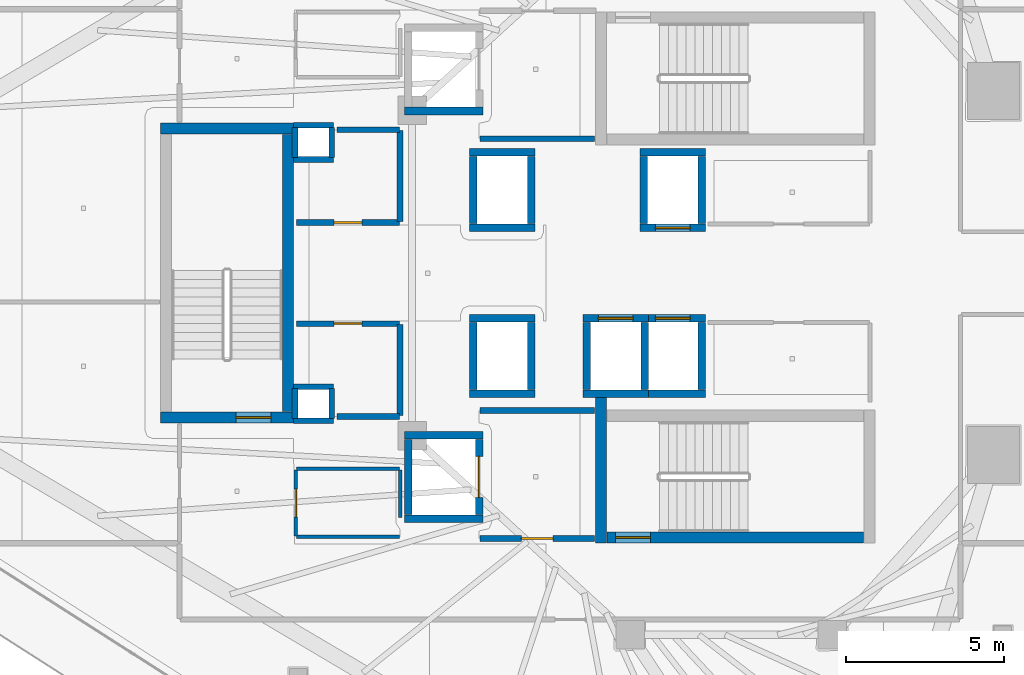
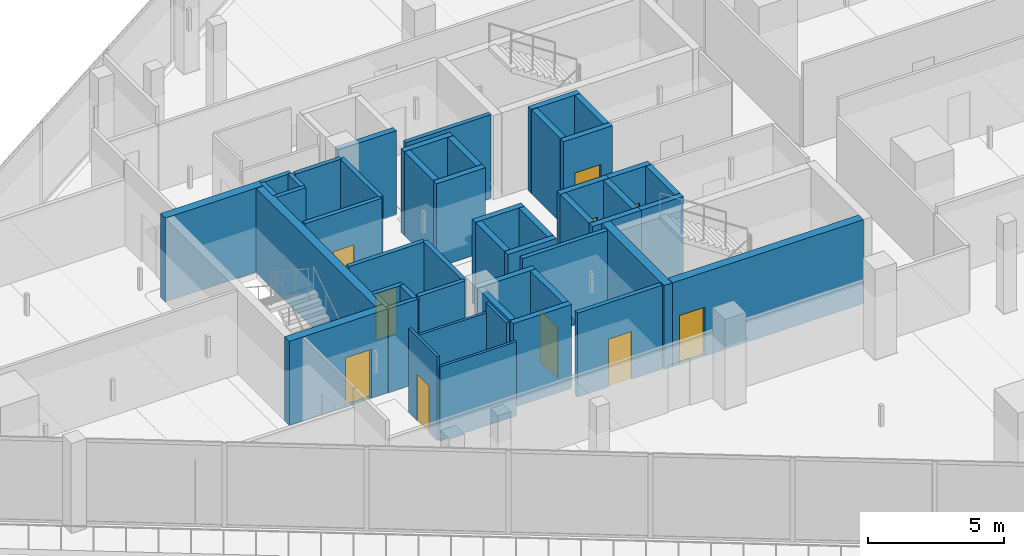
# One storey, part 24 of 33: 50 walls, 10 doors, 10 openings.
"""IFC4 building model written with IfcOpenShell, lengths in metres."""

import ifcopenshell
import ifcopenshell.guid

model = None  # the IFC model being written
_history = None  # IfcOwnerHistory: only IFC2X3 demands one
_inside = {}  # id of a spatial element -> (the spatial element, [elements in it])
_under = {}  # id of a project, library or spatial element -> (it, [spatial elements below it])
_declared = {}  # id of a project -> (the project, [libraries it declares])
_typed = {}  # id of a type object -> (the type object, [elements of that type])
_made_of = {}  # id of a material, layer set ... -> (it, [elements and type objects made of it])


def new_model(schema):
    """Start an empty IFC model of exactly this schema.

    Asked for "IFC4X3", IfcOpenShell would pick the latest addendum, in which some entities
    have other attributes; the version numbers below select the first issue.
    IFC2X3 requires an IfcOwnerHistory on every rooted entity: one is made here for all.
    """
    global model, _history
    if schema == "IFC4X3":
        model = ifcopenshell.file(schema_version=(4, 3, 0, 0))
    else:
        model = ifcopenshell.file(schema=schema)
    _inside.clear()
    _under.clear()
    _declared.clear()
    _typed.clear()
    _made_of.clear()
    _history = None
    if model.schema == "IFC2X3":
        org = make("IfcOrganization", Name="unknown")
        user = make(
            "IfcPersonAndOrganization",
            ThePerson=make("IfcPerson", FamilyName="unknown"),
            TheOrganization=org,
        )
        app = make(
            "IfcApplication",
            ApplicationDeveloper=org,
            Version="unknown",
            ApplicationFullName="unknown",
            ApplicationIdentifier="unknown",
        )
        _history = make(
            "IfcOwnerHistory",
            OwningUser=user,
            OwningApplication=app,
            ChangeAction="ADDED",
            CreationDate=0,
        )
    return model


def make(cls, **values):
    """One entity of the class cls with the attributes given. An attribute that is None is left unset."""
    return model.create_entity(
        cls, **{name: value for name, value in values.items() if value is not None}
    )


def rooted(cls, **values):
    """An entity with a GlobalId (a new one), such as an element, a storey or a relation."""
    return make(cls, GlobalId=ifcopenshell.guid.new(), OwnerHistory=_history, **values)


def si_unit(unit_type, name, prefix=None):
    """IfcSIUnit, for example si_unit("LENGTHUNIT", "METRE", prefix="MILLI")."""
    return make("IfcSIUnit", UnitType=unit_type, Prefix=prefix, Name=name)


def assignment(units):
    """IfcUnitAssignment: the units of a project."""
    return None if units is None else make("IfcUnitAssignment", Units=units)


def point(xyz):
    """IfcCartesianPoint."""
    return None if xyz is None else make("IfcCartesianPoint", Coordinates=xyz)


def direction(xyz):
    """IfcDirection."""
    return None if xyz is None else make("IfcDirection", DirectionRatios=xyz)


def frame(location, z_axis=None, x_axis=None):
    """IfcAxis2Placement3D, a coordinate frame: its origin and axes. An axis left out is left unset."""
    return make(
        "IfcAxis2Placement3D",
        Location=point(location),
        Axis=direction(z_axis),
        RefDirection=direction(x_axis),
    )


def frame_2d(location, x_axis=None):
    """IfcAxis2Placement2D, a coordinate frame in the plane: its origin and x axis."""
    return make(
        "IfcAxis2Placement2D", Location=point(location), RefDirection=direction(x_axis)
    )


def origin():
    """The frame at (0, 0, 0) with its axes left unset."""
    return frame((0.0, 0.0, 0.0))


def place(relative_to, where):
    """IfcLocalPlacement: puts the frame where relative to a parent placement (None: the world)."""
    return make(
        "IfcLocalPlacement", PlacementRelTo=relative_to, RelativePlacement=where
    )


def context(
    kind, dimensions, precision=None, world=None, true_north=None, identifier=None
):
    """IfcGeometricRepresentationContext, for example the 3D "Model" context."""
    return make(
        "IfcGeometricRepresentationContext",
        ContextIdentifier=identifier,
        ContextType=kind,
        CoordinateSpaceDimension=dimensions,
        Precision=precision,
        WorldCoordinateSystem=world,
        TrueNorth=true_north,
    )


def subcontext(parent, identifier, kind, view, scale=None):
    """IfcGeometricRepresentationSubContext, for example "Body" below "Model"."""
    return make(
        "IfcGeometricRepresentationSubContext",
        ContextIdentifier=identifier,
        ContextType=kind,
        ParentContext=parent,
        TargetScale=scale,
        TargetView=view,
    )


def project(units=None, contexts=None):
    """IfcProject with its units and contexts."""
    return rooted(
        "IfcProject",
        Name="project",
        RepresentationContexts=contexts,
        UnitsInContext=assignment(units),
    )


def spatial(cls, under=None, at=None, **own):
    """A site, building, storey or space (cls), placed at a placement, below another one or the project."""
    s = rooted(cls, ObjectPlacement=at, **own)
    if under is not None:
        _under.setdefault(under.id(), (under, []))[1].append(s)
    return s


def profile(cls, at=None, kind="AREA", **sizes):
    """A parametric profile (cls). Its sizes go by their IFC names, for example OverallWidth=200.0."""
    return make(cls, ProfileType=kind, Position=at, **sizes)


def rectangle(**sizes):
    """IfcRectangleProfileDef."""
    return profile("IfcRectangleProfileDef", **sizes)


def extrude(swept, where, along, depth):
    """IfcExtrudedAreaSolid: the profile swept, set in the frame where, extruded along a direction by depth."""
    return make(
        "IfcExtrudedAreaSolid",
        SweptArea=swept,
        Position=where,
        ExtrudedDirection=direction(along),
        Depth=depth,
    )


def shape(context_of_items, identifier, shape_type, items):
    """IfcShapeRepresentation: the items that make up one representation, for example the "Body"."""
    return make(
        "IfcShapeRepresentation",
        ContextOfItems=context_of_items,
        RepresentationIdentifier=identifier,
        RepresentationType=shape_type,
        Items=items,
    )


def material(Name=None, Category=None):
    """IfcMaterial."""
    return make("IfcMaterial", Name=Name, Category=Category)


def layer(
    of_material, thickness, ventilated=None, Name=None, Category=None, Priority=None
):
    """IfcMaterialLayer: one layer of a wall or slab, of a material (None: an air gap)."""
    return make(
        "IfcMaterialLayer",
        Material=of_material,
        LayerThickness=thickness,
        IsVentilated=ventilated,
        Name=Name,
        Category=Category,
        Priority=Priority,
    )


def layer_set(layers, Name=None):
    """IfcMaterialLayerSet."""
    return make("IfcMaterialLayerSet", MaterialLayers=layers, LayerSetName=Name)


def made_of(thing, what):
    """Note that an element or type object is made of a material, layer set ...; save() writes the relation."""
    if what is not None:
        _made_of.setdefault(what.id(), (what, []))[1].append(thing)
    return thing


def type_object(cls, material=None, **own):
    """A type object (cls), such as IfcWallType, which elements share."""
    return made_of(rooted(cls, **own), material)


def element(
    cls,
    number,
    at=None,
    inside=None,
    cuts=None,
    type_object=None,
    material=None,
    context=None,
    identifier="Body",
    shape_type=None,
    held_by="IfcProductDefinitionShape",
    body=None,
    shapes=None,
    **own,
):
    """One element of the class cls, such as IfcWall. Its Tag is "e" and its number.

    at: its placement. inside: the storey or other place that contains it. cuts: it is an
    opening in that element (IfcRelVoidsElement). A single representation is given by context,
    identifier, shape_type and body (its items); several are given by shapes. held_by: the class
    of the entity that holds the representations. save() writes the other relations.
    """
    e = rooted(cls, Tag="e%d" % number, ObjectPlacement=at, **own)
    if body is not None:
        shapes = [shape(context, identifier, shape_type, body)]
    if shapes is not None:
        e.Representation = make(held_by, Representations=shapes)
    if inside is not None:
        _inside.setdefault(inside.id(), (inside, []))[1].append(e)
    if cuts is not None:
        rooted(
            "IfcRelVoidsElement", RelatingBuildingElement=cuts, RelatedOpeningElement=e
        )
    if type_object is not None:
        _typed.setdefault(type_object.id(), (type_object, []))[1].append(e)
    return made_of(e, material)


def fill(opening, filler):
    """IfcRelFillsElement: the door or window that sits in an opening."""
    return rooted(
        "IfcRelFillsElement",
        RelatingOpeningElement=opening,
        RelatedBuildingElement=filler,
    )


def aggregate(whole, parts):
    """IfcRelAggregates: a whole, such as a stair, and the parts it consists of."""
    return rooted("IfcRelAggregates", RelatingObject=whole, RelatedObjects=parts)


def save(model, path):
    """Write the relations noted so far, then the file.

    IfcRelAggregates (storeys below a building ...), IfcRelContainedInSpatialStructure (elements
    in a storey), IfcRelDefinesByType, IfcRelAssociatesMaterial and IfcRelDeclares: one each for
    every whole, place, type object, material and project.
    """
    for whole, parts in _under.values():
        aggregate(whole, parts)
    for where, things in _inside.values():
        rooted(
            "IfcRelContainedInSpatialStructure",
            RelatedElements=things,
            RelatingStructure=where,
        )
    for kind, things in _typed.values():
        rooted("IfcRelDefinesByType", RelatedObjects=things, RelatingType=kind)
    for what, things in _made_of.values():
        rooted("IfcRelAssociatesMaterial", RelatedObjects=things, RelatingMaterial=what)
    for by, libraries in _declared.values():
        rooted("IfcRelDeclares", RelatingContext=by, RelatedDefinitions=libraries)
    model.write(path)


model = new_model("IFC4")

# Units and contexts
model_context = context("Model", 3, precision=1e-05, world=origin(), true_north=direction((0.0, 1.0)))
body_context = subcontext(model_context, "Body", "Model", "MODEL_VIEW")
ifc_project = project(units=[si_unit("LENGTHUNIT", "METRE"), si_unit("AREAUNIT", "SQUARE_METRE"), si_unit("VOLUMEUNIT", "CUBIC_METRE"), si_unit("PLANEANGLEUNIT", "RADIAN"), si_unit("MASSUNIT", "GRAM", prefix="KILO")], contexts=[model_context])

# Site, building, storey
site_placement = place(None, origin())
site = spatial("IfcSite", under=ifc_project, at=site_placement, CompositionType="ELEMENT")
building_placement = place(site_placement, origin())
building = spatial("IfcBuilding", under=site, at=building_placement, Name="Qorvath Tower", CompositionType="ELEMENT")
storey_placement = place(building_placement, frame((0.0, 0.0, 221.25)))
storey = spatial("IfcBuildingStorey", under=building, at=storey_placement, Name="L51", CompositionType="ELEMENT", Elevation=221.25)

# Walls
ifc_material_1 = material(Name="Gypsum shaftliner on steel studs", Category="steel")
ifc_layer_1 = layer(ifc_material_1, 0.179931640625)
ifc_layer_set_1 = layer_set([ifc_layer_1], Name="FW-LOBBY")
wall_type_1 = type_object("IfcWallType", Name="FW-LOBBY", PredefinedType="PARTITIONING", material=ifc_layer_set_1)
for number, where, z_axis, x_axis, name in (
    (1, (-32.989990234375, 3.594970703125, 0.0), (0.0, 0.0, 1.0), (-1.0, 0.0, 0.0), "MEP Riser Shaft Enclosure Wall N-L51-S"),
    (2, (-34.260009765625, 4.675048828125, 0.0), (0.0, 0.0, 1.0), (1.0, 0.0, 0.0), "MEP Riser Shaft Enclosure Wall N-L51-N"),
):
    element("IfcWall", number, at=place(storey_placement, frame(where, z_axis=z_axis, x_axis=x_axis)), inside=storey, type_object=wall_type_1, Name=name, PredefinedType="PARTITIONING", context=body_context, shape_type="SweptSolid", body=[
        extrude(rectangle(XDim=1.27001953125, YDim=0.179931640625, at=frame_2d((0.635009765625, 0.0))), origin(), (0.0, 0.0, 1.0), 3.780029296875),
    ])
for number, where, z_axis, x_axis, name in (
    (3, (-34.205078125, 3.659912109375, 0.0), (0.0, 0.0, 1.0), (0.0, 1.0, 0.0), "MEP Riser Shaft Enclosure Wall N-L51-W"),
    (4, (-33.044921875, 4.610107421875, 0.0), (0.0, 0.0, 1.0), (0.0, -1.0, 0.0), "MEP Riser Shaft Enclosure Wall N-L51-E"),
):
    element("IfcWall", number, at=place(storey_placement, frame(where, z_axis=z_axis, x_axis=x_axis)), inside=storey, type_object=wall_type_1, Name=name, PredefinedType="PARTITIONING", context=body_context, shape_type="SweptSolid", body=[
        extrude(rectangle(XDim=0.9501953125, YDim=0.179931640625, at=frame_2d((0.47509765625, 0.0))), origin(), (0.0, 0.0, 1.0), 3.780029296875),
    ])
for number, where, z_axis, x_axis, name in (
    (5, (-32.989990234375, -4.675048828125, 0.0), (0.0, 0.0, 1.0), (-1.0, 0.0, 0.0), "MEP Riser Shaft Enclosure Wall S-L51-S"),
    (6, (-34.260009765625, -3.594970703125, 0.0), (0.0, 0.0, 1.0), (1.0, 0.0, 0.0), "MEP Riser Shaft Enclosure Wall S-L51-N"),
):
    element("IfcWall", number, at=place(storey_placement, frame(where, z_axis=z_axis, x_axis=x_axis)), inside=storey, type_object=wall_type_1, Name=name, PredefinedType="PARTITIONING", context=body_context, shape_type="SweptSolid", body=[
        extrude(rectangle(XDim=1.27001953125, YDim=0.179931640625, at=frame_2d((0.635009765625, 0.0))), origin(), (0.0, 0.0, 1.0), 3.780029296875),
    ])
for number, where, z_axis, x_axis, name in (
    (7, (-34.205078125, -4.610107421875, 0.0), (0.0, 0.0, 1.0), (0.0, 1.0, 0.0), "MEP Riser Shaft Enclosure Wall S-L51-W"),
    (8, (-33.044921875, -3.659912109375, 0.0), (0.0, 0.0, 1.0), (0.0, -1.0, 0.0), "MEP Riser Shaft Enclosure Wall S-L51-E"),
):
    element("IfcWall", number, at=place(storey_placement, frame(where, z_axis=z_axis, x_axis=x_axis)), inside=storey, type_object=wall_type_1, Name=name, PredefinedType="PARTITIONING", context=body_context, shape_type="SweptSolid", body=[
        extrude(rectangle(XDim=0.9501953125, YDim=0.179931640625, at=frame_2d((0.47509765625, 0.0))), origin(), (0.0, 0.0, 1.0), 3.780029296875),
    ])
wall_1_placement = place(storey_placement, frame((-28.35498046875, 4.25, 0.0), z_axis=(0.0, 0.0, 1.0), x_axis=(1.0, 0.0, 0.0)))
element("IfcWall", 9, at=wall_1_placement, inside=storey, type_object=wall_type_1, Name="Interior Partition IW-T1-L51-001", PredefinedType="PARTITIONING", context=body_context, shape_type="SweptSolid", body=[
    extrude(rectangle(XDim=3.6220703125, YDim=0.179931640625, at=frame_2d((1.81103515625, 0.0))), origin(), (0.0, 0.0, 1.0), 3.780029296875),
])

# Wall, opening, door
wall_2_placement = place(storey_placement, frame((-28.35498046875, -8.39990234375, 0.0), z_axis=(0.0, 0.0, 1.0), x_axis=(1.0, 0.0, 0.0)))
wall_2 = element("IfcWall", 10, at=wall_2_placement, inside=storey, type_object=wall_type_1, Name="Interior Partition IW-T1-L51-003", PredefinedType="PARTITIONING", context=body_context, shape_type="SweptSolid", body=[
    extrude(rectangle(XDim=3.6220703125, YDim=0.179931640625, at=frame_2d((1.81103515625, 0.0))), origin(), (0.0, 0.0, 1.0), 3.780029296875),
])
opening_1_placement = place(wall_2_placement, frame((1.31103515625, 0.0, 0.0)))
opening_1 = element("IfcOpeningElement", 11, at=opening_1_placement, cuts=wall_2, Name="Opening D-T1-L51-16", PredefinedType="OPENING", context=body_context, shape_type="SweptSolid", body=[
    extrude(rectangle(XDim=1.0, YDim=2.14990234375, at=frame_2d((0.5, 1.074951171875))), frame((0.0, 0.10009765625, 0.0), z_axis=(0.0, -1.0, 0.0), x_axis=(1.0, 0.0, 0.0)), (0.0, 0.0, 1.0), 0.199951171875),
])
ifc_material_2 = material(Name="Painted galvanised hollow metal", Category="steel")
door_type_1 = type_object("IfcDoorType", Name="FD-60", OperationType="NOTDEFINED", PredefinedType="DOOR", material=ifc_material_2)
door_1_placement = place(opening_1_placement, origin())
door_1 = element("IfcDoor", 12, at=door_1_placement, inside=storey, type_object=door_type_1, Name="Lobby Fire Service Elevator South Door D-T1-L51-16", OperationType="SINGLE_SWING_LEFT", OverallHeight=2.14990234375, OverallWidth=1.0, PredefinedType="DOOR", context=body_context, shape_type="SweptSolid", body=[
    extrude(rectangle(XDim=1.0, YDim=2.14990234375, at=frame_2d((0.5, 1.074951171875))), frame((0.0, 0.02490234375, 0.0), z_axis=(0.0, -1.0, 0.0), x_axis=(1.0, 0.0, 0.0)), (0.0, 0.0, 1.0), 0.050048828125),
])
fill(opening_1, door_1)

# Wall
wall_3_placement = place(storey_placement, frame((-24.73291015625, -4.35009765625, 0.0), z_axis=(0.0, 0.0, 1.0), x_axis=(-1.0, 0.0, 0.0)))
element("IfcWall", 13, at=wall_3_placement, inside=storey, type_object=wall_type_1, Name="Interior Partition IW-T1-L51-004", PredefinedType="PARTITIONING", context=body_context, shape_type="SweptSolid", body=[
    extrude(rectangle(XDim=3.6220703125, YDim=0.179931640625, at=frame_2d((1.81103515625, 0.0))), origin(), (0.0, 0.0, 1.0), 3.780029296875),
])

# Wall, opening, door
wall_4_placement = place(storey_placement, frame((-34.15478515625, 1.60009765625, 0.0), z_axis=(0.0, 0.0, 1.0), x_axis=(1.0, 0.0, 0.0)))
wall_4 = element("IfcWall", 14, at=wall_4_placement, inside=storey, type_object=wall_type_1, Name="Interior Partition IW-T1-L51-017", PredefinedType="PARTITIONING", context=body_context, shape_type="SweptSolid", body=[
    extrude(rectangle(XDim=3.25, YDim=0.179931640625, at=frame_2d((1.625, 0.0))), origin(), (0.0, 0.0, 1.0), 3.780029296875),
])
opening_2_placement = place(wall_4_placement, frame((1.18505859375, 0.0, 0.0)))
opening_2 = element("IfcOpeningElement", 15, at=opening_2_placement, cuts=wall_4, Name="Opening D-T1-L51-05", PredefinedType="OPENING", context=body_context, shape_type="SweptSolid", body=[
    extrude(rectangle(XDim=0.8798828125, YDim=2.10009765625, at=frame_2d((0.43994140625, 1.050048828125))), frame((0.0, 0.10009765625, 0.0), z_axis=(0.0, -1.0, 0.0), x_axis=(1.0, 0.0, 0.0)), (0.0, 0.0, 1.0), 0.199951171875),
])
ifc_material_3 = material(Name="Painted galvanised hollow metal", Category="steel")
door_type_2 = type_object("IfcDoorType", Name="FD-60N", OperationType="NOTDEFINED", PredefinedType="DOOR", material=ifc_material_3)
door_2_placement = place(opening_2_placement, origin())
door_2 = element("IfcDoor", 16, at=door_2_placement, inside=storey, type_object=door_type_2, Name="Core telecom and comms room L51 Door D-T1-L51-05", OperationType="SINGLE_SWING_RIGHT", OverallHeight=2.10009765625, OverallWidth=0.8798828125, PredefinedType="DOOR", context=body_context, shape_type="SweptSolid", body=[
    extrude(rectangle(XDim=0.8798828125, YDim=2.10009765625, at=frame_2d((0.43994140625, 1.050048828125))), frame((0.0, 0.02490234375, 0.0), z_axis=(0.0, -1.0, 0.0), x_axis=(1.0, 0.0, 0.0)), (0.0, 0.0, 1.0), 0.050048828125),
])
fill(opening_2, door_2)

# Walls
wall_5_placement = place(storey_placement, frame((-30.8798828125, 1.625, 0.0), z_axis=(0.0, 0.0, 1.0), x_axis=(0.0, 1.0, 0.0)))
element("IfcWall", 17, at=wall_5_placement, inside=storey, type_object=wall_type_1, Name="Interior Partition IW-T1-L51-018", PredefinedType="PARTITIONING", context=body_context, shape_type="SweptSolid", body=[
    extrude(rectangle(XDim=2.889892578125, YDim=0.179931640625, at=frame_2d((1.44482421875, 0.0))), origin(), (0.0, 0.0, 1.0), 3.780029296875),
])
for number, where, z_axis, x_axis, name in (
    (18, (-30.90478515625, 4.5400390625, 0.0), (0.0, 0.0, 1.0), (-1.0, 0.0, 0.0), "Interior Partition IW-T1-L51-019"),
    (19, (-32.8798828125, -4.5400390625, 0.0), (0.0, 0.0, 1.0), (1.0, 0.0, 0.0), "Interior Partition IW-T1-L51-020"),
):
    element("IfcWall", number, at=place(storey_placement, frame(where, z_axis=z_axis, x_axis=x_axis)), inside=storey, type_object=wall_type_1, Name=name, PredefinedType="PARTITIONING", context=body_context, shape_type="SweptSolid", body=[
        extrude(rectangle(XDim=1.97509765625, YDim=0.179931640625, at=frame_2d((0.987548828125, 0.0))), origin(), (0.0, 0.0, 1.0), 3.780029296875),
    ])
wall_6_placement = place(storey_placement, frame((-30.8798828125, -4.514892578125, 0.0), z_axis=(0.0, 0.0, 1.0), x_axis=(0.0, 1.0, 0.0)))
element("IfcWall", 20, at=wall_6_placement, inside=storey, type_object=wall_type_1, Name="Interior Partition IW-T1-L51-021", PredefinedType="PARTITIONING", context=body_context, shape_type="SweptSolid", body=[
    extrude(rectangle(XDim=2.889892578125, YDim=0.179931640625, at=frame_2d((1.44482421875, 0.0))), origin(), (0.0, 0.0, 1.0), 3.780029296875),
])

# Wall, opening, door
wall_7_placement = place(storey_placement, frame((-30.90478515625, -1.60009765625, 0.0), z_axis=(0.0, 0.0, 1.0), x_axis=(-1.0, 0.0, 0.0)))
wall_7 = element("IfcWall", 21, at=wall_7_placement, inside=storey, type_object=wall_type_1, Name="Interior Partition IW-T1-L51-022", PredefinedType="PARTITIONING", context=body_context, shape_type="SweptSolid", body=[
    extrude(rectangle(XDim=3.25, YDim=0.179931640625, at=frame_2d((1.625, 0.0))), origin(), (0.0, 0.0, 1.0), 3.780029296875),
])
opening_3_placement = place(wall_7_placement, frame((1.18505859375, 0.0, 0.0)))
opening_3 = element("IfcOpeningElement", 22, at=opening_3_placement, cuts=wall_7, Name="Opening D-T1-L51-06", PredefinedType="OPENING", context=body_context, shape_type="SweptSolid", body=[
    extrude(rectangle(XDim=0.8798828125, YDim=2.10009765625, at=frame_2d((0.43994140625, 1.050048828125))), frame((0.0, 0.10009765625, 0.0), z_axis=(0.0, -1.0, 0.0), x_axis=(1.0, 0.0, 0.0)), (0.0, 0.0, 1.0), 0.199951171875),
])
door_3_placement = place(opening_3_placement, origin())
door_3 = element("IfcDoor", 23, at=door_3_placement, inside=storey, type_object=door_type_2, Name="Core housekeeping store L51 Door D-T1-L51-06", OperationType="SINGLE_SWING_LEFT", OverallHeight=2.10009765625, OverallWidth=0.8798828125, PredefinedType="DOOR", context=body_context, shape_type="SweptSolid", body=[
    extrude(rectangle(XDim=0.8798828125, YDim=2.10009765625, at=frame_2d((0.43994140625, 1.050048828125))), frame((0.0, 0.02490234375, 0.0), z_axis=(0.0, -1.0, 0.0), x_axis=(1.0, 0.0, 0.0)), (0.0, 0.0, 1.0), 0.050048828125),
])
fill(opening_3, door_3)

ifc_material_4 = material(Name="Moisture-resistant cement board on metal studs", Category="gypsum")
ifc_layer_2 = layer(ifc_material_4, 0.110107421875)
ifc_layer_set_2 = layer_set([ifc_layer_2], Name="IW-WC-110")
wall_type_2 = type_object("IfcWallType", Name="IW-WC-110", PredefinedType="PARTITIONING", material=ifc_layer_set_2)
wall_8_placement = place(storey_placement, frame((-34.179931640625, -6.22509765625, 0.0), z_axis=(0.0, 0.0, 1.0), x_axis=(0.0, -1.0, 0.0)))
wall_8 = element("IfcWall", 24, at=wall_8_placement, inside=storey, type_object=wall_type_2, Name="Interior Partition IW-T1-L51-009", PredefinedType="PARTITIONING", context=body_context, shape_type="SweptSolid", body=[
    extrude(rectangle(XDim=2.10009765625, YDim=0.110107421875, at=frame_2d((1.050048828125, 0.0))), origin(), (0.0, 0.0, 1.0), 3.780029296875),
])
opening_4_placement = place(wall_8_placement, frame((0.610107421875, 0.0, 0.0)))
opening_4 = element("IfcOpeningElement", 25, at=opening_4_placement, cuts=wall_8, Name="Opening D-T1-L51-02", PredefinedType="OPENING", context=body_context, shape_type="SweptSolid", body=[
    extrude(rectangle(XDim=0.8798828125, YDim=2.10009765625, at=frame_2d((0.43994140625, 1.050048828125))), frame((0.0, 0.06494140625, 0.0), z_axis=(0.0, -1.0, 0.0), x_axis=(1.0, 0.0, 0.0)), (0.0, 0.0, 1.0), 0.130126953125),
])
ifc_material_5 = material(Name="Solid-core oak with acoustic drop seal", Category="wood")
door_type_3 = type_object("IfcDoorType", Name="D-02", OperationType="NOTDEFINED", PredefinedType="DOOR", material=ifc_material_5)
door_4_placement = place(opening_4_placement, origin())
door_4 = element("IfcDoor", 26, at=door_4_placement, inside=storey, type_object=door_type_3, Name="Accessible WC South L51 Door D-T1-L51-02", OperationType="SINGLE_SWING_LEFT", OverallHeight=2.10009765625, OverallWidth=0.8798828125, PredefinedType="DOOR", context=body_context, shape_type="SweptSolid", body=[
    extrude(rectangle(XDim=0.8798828125, YDim=2.10009765625, at=frame_2d((0.43994140625, 1.050048828125))), frame((0.0, 0.02490234375, 0.0), z_axis=(0.0, -1.0, 0.0), x_axis=(1.0, 0.0, 0.0)), (0.0, 0.0, 1.0), 0.050048828125),
])
fill(opening_4, door_4)

# Walls
wall_9_placement = place(storey_placement, frame((-34.15478515625, -8.35009765625, 0.0), z_axis=(0.0, 0.0, 1.0), x_axis=(1.0, 0.0, 0.0)))
element("IfcWall", 27, at=wall_9_placement, inside=storey, type_object=wall_type_2, Name="Interior Partition IW-T1-L51-010", PredefinedType="PARTITIONING", context=body_context, shape_type="SweptSolid", body=[
    extrude(rectangle(XDim=3.25, YDim=0.110107421875, at=frame_2d((1.625, 0.0))), origin(), (0.0, 0.0, 1.0), 3.34375),
])
wall_10_placement = place(storey_placement, frame((-30.8798828125, -7.742919921875, 0.0), z_axis=(0.0, 0.0, 1.0), x_axis=(0.0, 1.0, 0.0)))
element("IfcWall", 28, at=wall_10_placement, inside=storey, type_object=wall_type_2, Name="Interior Partition IW-T1-L51-011", PredefinedType="PARTITIONING", context=body_context, shape_type="SweptSolid", body=[
    extrude(rectangle(XDim=1.517822265625, YDim=0.110107421875, at=frame_2d((0.7587890625, 0.0))), origin(), (0.0, 0.0, 1.0), 3.780029296875),
])
wall_11_placement = place(storey_placement, frame((-30.90478515625, -6.199951171875, 0.0), z_axis=(0.0, 0.0, 1.0), x_axis=(-1.0, 0.0, 0.0)))
element("IfcWall", 29, at=wall_11_placement, inside=storey, type_object=wall_type_2, Name="Interior Partition IW-T1-L51-012", PredefinedType="PARTITIONING", context=body_context, shape_type="SweptSolid", body=[
    extrude(rectangle(XDim=3.25, YDim=0.110107421875, at=frame_2d((1.625, 0.0))), origin(), (0.0, 0.0, 1.0), 3.34375),
])
ifc_material_6 = material(Name="Concrete C60/75", Category="concrete")
ifc_layer_3 = layer(ifc_material_6, 0.260009765625)
ifc_layer_set_3 = layer_set([ifc_layer_3], Name="SW-SHAFT")
wall_type_3 = type_object("IfcWallType", Name="SW-SHAFT", PredefinedType="SHEAR", material=ifc_layer_set_3)
for number, where, z_axis, x_axis, name in (
    (30, (-28.260009765625, 5.1298828125, 0.0), (0.0, 0.0, 1.0), (-1.0, 0.0, 0.0), "Hoistway Wall FSAE-1 L51 S"),
    (31, (-28.260009765625, -7.77001953125, 0.0), (0.0, 0.0, 1.0), (-1.0, 0.0, 0.0), "Hoistway Wall FSAE-2 L51 S"),
    (32, (-30.739990234375, -5.1298828125, 0.0), (0.0, 0.0, 1.0), (1.0, 0.0, 0.0), "Hoistway Wall FSAE-2 L51 N"),
):
    element("IfcWall", number, at=place(storey_placement, frame(where, z_axis=z_axis, x_axis=x_axis)), inside=storey, type_object=wall_type_3, Name=name, PredefinedType="SHEAR", context=body_context, shape_type="SweptSolid", body=[
        extrude(rectangle(XDim=2.47998046875, YDim=0.239990234375, at=frame_2d((1.239990234375, 0.0))), origin(), (0.0, 0.0, 1.0), 3.780029296875),
    ])
wall_12_placement = place(storey_placement, frame((-30.6201171875, -7.637939453125, 0.0), z_axis=(0.0, 0.0, 1.0), x_axis=(0.0, 1.0, 0.0)))
element("IfcWall", 33, at=wall_12_placement, inside=storey, type_object=wall_type_3, Name="Hoistway Wall FSAE-2 L51 W", PredefinedType="SHEAR", context=body_context, shape_type="SweptSolid", body=[
    extrude(rectangle(XDim=2.3759765625, YDim=0.239990234375, at=frame_2d((1.18798828125, 0.0))), origin(), (0.0, 0.0, 1.0), 3.780029296875),
])

# Wall, opening, door
wall_13_placement = place(storey_placement, frame((-28.3798828125, -5.261962890625, 0.0), z_axis=(0.0, 0.0, 1.0), x_axis=(0.0, -1.0, 0.0)))
wall_13 = element("IfcWall", 34, at=wall_13_placement, inside=storey, type_object=wall_type_3, Name="Hoistway Wall FSAE-2 L51 E", PredefinedType="SHEAR", context=body_context, shape_type="SweptSolid", body=[
    extrude(rectangle(XDim=2.3759765625, YDim=0.239990234375, at=frame_2d((1.18798828125, 0.0))), origin(), (0.0, 0.0, 1.0), 3.780029296875),
])
opening_5_placement = place(wall_13_placement, frame((0.5380859375, 0.0, 0.0)))
opening_5 = element("IfcOpeningElement", 35, at=opening_5_placement, cuts=wall_13, Name="Opening LD-FSAE-2-L51", PredefinedType="OPENING", context=body_context, shape_type="SweptSolid", body=[
    extrude(rectangle(XDim=1.300048828125, YDim=2.300048828125, at=frame_2d((0.64990234375, 1.14990234375))), frame((0.0, 0.1298828125, 0.0), z_axis=(0.0, -1.0, 0.0), x_axis=(1.0, 0.0, 0.0)), (0.0, 0.0, 1.0), 0.260009765625),
])
ifc_material_7 = material(Name="Brushed stainless steel AISI 316", Category="steel")
door_type_4 = type_object("IfcDoorType", Name="LD-02", OperationType="NOTDEFINED", PredefinedType="DOOR", material=ifc_material_7)
door_5_placement = place(opening_5_placement, origin())
door_5 = element("IfcDoor", 36, at=door_5_placement, inside=storey, type_object=door_type_4, Name="Elevator Landing Sliding Door LD-FSAE-2-L51", OperationType="DOUBLE_DOOR_SLIDING", OverallHeight=2.300048828125, OverallWidth=1.300048828125, PredefinedType="DOOR", context=body_context, shape_type="SweptSolid", body=[
    extrude(rectangle(XDim=1.300048828125, YDim=2.300048828125, at=frame_2d((0.64990234375, 1.14990234375))), frame((0.0, 0.02490234375, 0.0), z_axis=(0.0, -1.0, 0.0), x_axis=(1.0, 0.0, 0.0)), (0.0, 0.0, 1.0), 0.050048828125),
])
fill(opening_5, door_5)

# Walls
for number, where, z_axis, x_axis, name in (
    (37, (-26.610107421875, 1.429931640625, 0.0), (0.0, 0.0, 1.0), (-1.0, 0.0, 0.0), "Hoistway Wall PS-1 L51 S"),
    (38, (-28.68994140625, 3.820068359375, 0.0), (0.0, 0.0, 1.0), (1.0, 0.0, 0.0), "Hoistway Wall PS-1 L51 N"),
):
    element("IfcWall", number, at=place(storey_placement, frame(where, z_axis=z_axis, x_axis=x_axis)), inside=storey, type_object=wall_type_3, Name=name, PredefinedType="SHEAR", context=body_context, shape_type="SweptSolid", body=[
        extrude(rectangle(XDim=2.079833984375, YDim=0.239990234375, at=frame_2d((1.0400390625, 0.0))), origin(), (0.0, 0.0, 1.0), 3.780029296875),
    ])
for number, where, z_axis, x_axis, name in (
    (39, (-28.570068359375, 1.56201171875, 0.0), (0.0, 0.0, 1.0), (0.0, 1.0, 0.0), "Hoistway Wall PS-1 L51 W"),
    (40, (-26.72998046875, 3.68798828125, 0.0), (0.0, 0.0, 1.0), (0.0, -1.0, 0.0), "Hoistway Wall PS-1 L51 E"),
):
    element("IfcWall", number, at=place(storey_placement, frame(where, z_axis=z_axis, x_axis=x_axis)), inside=storey, type_object=wall_type_3, Name=name, PredefinedType="SHEAR", context=body_context, shape_type="SweptSolid", body=[
        extrude(rectangle(XDim=2.1259765625, YDim=0.239990234375, at=frame_2d((1.06298828125, 0.0))), origin(), (0.0, 0.0, 1.0), 3.780029296875),
    ])

# Wall, opening, door
wall_14_placement = place(storey_placement, frame((-21.2099609375, 1.429931640625, 0.0), z_axis=(0.0, 0.0, 1.0), x_axis=(-1.0, 0.0, 0.0)))
wall_14 = element("IfcWall", 41, at=wall_14_placement, inside=storey, type_object=wall_type_3, Name="Hoistway Wall PU-1 L51 S", PredefinedType="SHEAR", context=body_context, shape_type="SweptSolid", body=[
    extrude(rectangle(XDim=2.080078125, YDim=0.239990234375, at=frame_2d((1.0400390625, 0.0))), origin(), (0.0, 0.0, 1.0), 3.780029296875),
])
opening_6_placement = place(wall_14_placement, frame((0.489990234375, 0.0, 0.0)))
opening_6 = element("IfcOpeningElement", 42, at=opening_6_placement, cuts=wall_14, Name="Opening LD-PU-1-L51", PredefinedType="OPENING", context=body_context, shape_type="SweptSolid", body=[
    extrude(rectangle(XDim=1.10009765625, YDim=2.199951171875, at=frame_2d((0.550048828125, 1.10009765625))), frame((0.0, 0.1298828125, 0.0), z_axis=(0.0, -1.0, 0.0), x_axis=(1.0, 0.0, 0.0)), (0.0, 0.0, 1.0), 0.260009765625),
])
ifc_material_8 = material(Name="Brushed stainless steel AISI 316", Category="steel")
door_type_5 = type_object("IfcDoorType", Name="LD-01", OperationType="NOTDEFINED", PredefinedType="DOOR", material=ifc_material_8)
door_6_placement = place(opening_6_placement, origin())
door_6 = element("IfcDoor", 43, at=door_6_placement, inside=storey, type_object=door_type_5, Name="Elevator Landing Sliding Door LD-PU-1-L51", OperationType="DOUBLE_DOOR_SLIDING", OverallHeight=2.199951171875, OverallWidth=1.10009765625, PredefinedType="DOOR", context=body_context, shape_type="SweptSolid", body=[
    extrude(rectangle(XDim=1.10009765625, YDim=2.199951171875, at=frame_2d((0.550048828125, 1.10009765625))), frame((0.0, 0.02490234375, 0.0), z_axis=(0.0, -1.0, 0.0), x_axis=(1.0, 0.0, 0.0)), (0.0, 0.0, 1.0), 0.050048828125),
])
fill(opening_6, door_6)

# Walls
wall_15_placement = place(storey_placement, frame((-23.2900390625, 3.820068359375, 0.0), z_axis=(0.0, 0.0, 1.0), x_axis=(1.0, 0.0, 0.0)))
element("IfcWall", 44, at=wall_15_placement, inside=storey, type_object=wall_type_3, Name="Hoistway Wall PU-1 L51 N", PredefinedType="SHEAR", context=body_context, shape_type="SweptSolid", body=[
    extrude(rectangle(XDim=2.080078125, YDim=0.239990234375, at=frame_2d((1.0400390625, 0.0))), origin(), (0.0, 0.0, 1.0), 3.780029296875),
])
for number, where, z_axis, x_axis, name in (
    (45, (-23.169921875, 1.56201171875, 0.0), (0.0, 0.0, 1.0), (0.0, 1.0, 0.0), "Hoistway Wall PU-1 L51 W"),
    (46, (-21.330078125, 3.68798828125, 0.0), (0.0, 0.0, 1.0), (0.0, -1.0, 0.0), "Hoistway Wall PU-1 L51 E"),
):
    element("IfcWall", number, at=place(storey_placement, frame(where, z_axis=z_axis, x_axis=x_axis)), inside=storey, type_object=wall_type_3, Name=name, PredefinedType="SHEAR", context=body_context, shape_type="SweptSolid", body=[
        extrude(rectangle(XDim=2.1259765625, YDim=0.239990234375, at=frame_2d((1.06298828125, 0.0))), origin(), (0.0, 0.0, 1.0), 3.780029296875),
    ])
for number, where, z_axis, x_axis, name in (
    (47, (-26.610107421875, -3.820068359375, 0.0), (0.0, 0.0, 1.0), (-1.0, 0.0, 0.0), "Hoistway Wall PS-2 L51 S"),
    (48, (-28.68994140625, -1.429931640625, 0.0), (0.0, 0.0, 1.0), (1.0, 0.0, 0.0), "Hoistway Wall PS-2 L51 N"),
):
    element("IfcWall", number, at=place(storey_placement, frame(where, z_axis=z_axis, x_axis=x_axis)), inside=storey, type_object=wall_type_3, Name=name, PredefinedType="SHEAR", context=body_context, shape_type="SweptSolid", body=[
        extrude(rectangle(XDim=2.079833984375, YDim=0.239990234375, at=frame_2d((1.0400390625, 0.0))), origin(), (0.0, 0.0, 1.0), 3.780029296875),
    ])
for number, where, z_axis, x_axis, name in (
    (49, (-28.570068359375, -3.68798828125, 0.0), (0.0, 0.0, 1.0), (0.0, 1.0, 0.0), "Hoistway Wall PS-2 L51 W"),
    (50, (-26.72998046875, -1.56201171875, 0.0), (0.0, 0.0, 1.0), (0.0, -1.0, 0.0), "Hoistway Wall PS-2 L51 E"),
):
    element("IfcWall", number, at=place(storey_placement, frame(where, z_axis=z_axis, x_axis=x_axis)), inside=storey, type_object=wall_type_3, Name=name, PredefinedType="SHEAR", context=body_context, shape_type="SweptSolid", body=[
        extrude(rectangle(XDim=2.1259765625, YDim=0.239990234375, at=frame_2d((1.06298828125, 0.0))), origin(), (0.0, 0.0, 1.0), 3.780029296875),
    ])
wall_16_placement = place(storey_placement, frame((-23.010009765625, -3.820068359375, 0.0), z_axis=(0.0, 0.0, 1.0), x_axis=(-1.0, 0.0, 0.0)))
element("IfcWall", 51, at=wall_16_placement, inside=storey, type_object=wall_type_3, Name="Hoistway Wall PU-2 L51 S", PredefinedType="SHEAR", context=body_context, shape_type="SweptSolid", body=[
    extrude(rectangle(XDim=2.080078125, YDim=0.239990234375, at=frame_2d((1.0400390625, 0.0))), origin(), (0.0, 0.0, 1.0), 3.780029296875),
])

# Wall, opening, door
wall_17_placement = place(storey_placement, frame((-25.090087890625, -1.429931640625, 0.0), z_axis=(0.0, 0.0, 1.0), x_axis=(1.0, 0.0, 0.0)))
wall_17 = element("IfcWall", 52, at=wall_17_placement, inside=storey, type_object=wall_type_3, Name="Hoistway Wall PU-2 L51 N", PredefinedType="SHEAR", context=body_context, shape_type="SweptSolid", body=[
    extrude(rectangle(XDim=2.080078125, YDim=0.239990234375, at=frame_2d((1.0400390625, 0.0))), origin(), (0.0, 0.0, 1.0), 3.780029296875),
])
opening_7_placement = place(wall_17_placement, frame((0.489990234375, 0.0, 0.0)))
opening_7 = element("IfcOpeningElement", 53, at=opening_7_placement, cuts=wall_17, Name="Opening LD-PU-2-L51", PredefinedType="OPENING", context=body_context, shape_type="SweptSolid", body=[
    extrude(rectangle(XDim=1.10009765625, YDim=2.199951171875, at=frame_2d((0.550048828125, 1.10009765625))), frame((0.0, 0.1298828125, 0.0), z_axis=(0.0, -1.0, 0.0), x_axis=(1.0, 0.0, 0.0)), (0.0, 0.0, 1.0), 0.260009765625),
])
door_7_placement = place(opening_7_placement, origin())
door_7 = element("IfcDoor", 54, at=door_7_placement, inside=storey, type_object=door_type_5, Name="Elevator Landing Sliding Door LD-PU-2-L51", OperationType="DOUBLE_DOOR_SLIDING", OverallHeight=2.199951171875, OverallWidth=1.10009765625, PredefinedType="DOOR", context=body_context, shape_type="SweptSolid", body=[
    extrude(rectangle(XDim=1.10009765625, YDim=2.199951171875, at=frame_2d((0.550048828125, 1.10009765625))), frame((0.0, 0.02490234375, 0.0), z_axis=(0.0, -1.0, 0.0), x_axis=(1.0, 0.0, 0.0)), (0.0, 0.0, 1.0), 0.050048828125),
])
fill(opening_7, door_7)

# Walls
for number, where, z_axis, x_axis, name in (
    (55, (-24.969970703125, -3.68798828125, 0.0), (0.0, 0.0, 1.0), (0.0, 1.0, 0.0), "Hoistway Wall PU-2 L51 W"),
    (56, (-23.1298828125, -1.56201171875, 0.0), (0.0, 0.0, 1.0), (0.0, -1.0, 0.0), "Hoistway Wall PU-2 L51 E"),
):
    element("IfcWall", number, at=place(storey_placement, frame(where, z_axis=z_axis, x_axis=x_axis)), inside=storey, type_object=wall_type_3, Name=name, PredefinedType="SHEAR", context=body_context, shape_type="SweptSolid", body=[
        extrude(rectangle(XDim=2.1259765625, YDim=0.239990234375, at=frame_2d((1.06298828125, 0.0))), origin(), (0.0, 0.0, 1.0), 3.780029296875),
    ])
wall_18_placement = place(storey_placement, frame((-21.2099609375, -3.820068359375, 0.0), z_axis=(0.0, 0.0, 1.0), x_axis=(-1.0, 0.0, 0.0)))
element("IfcWall", 57, at=wall_18_placement, inside=storey, type_object=wall_type_3, Name="Hoistway Wall PU-3 L51 S", PredefinedType="SHEAR", context=body_context, shape_type="SweptSolid", body=[
    extrude(rectangle(XDim=1.800048828125, YDim=0.239990234375, at=frame_2d((0.89990234375, 0.0))), origin(), (0.0, 0.0, 1.0), 3.780029296875),
])

# Wall, opening, door
wall_19_placement = place(storey_placement, frame((-23.010009765625, -1.429931640625, 0.0), z_axis=(0.0, 0.0, 1.0), x_axis=(1.0, 0.0, 0.0)))
wall_19 = element("IfcWall", 58, at=wall_19_placement, inside=storey, type_object=wall_type_3, Name="Hoistway Wall PU-3 L51 N", PredefinedType="SHEAR", context=body_context, shape_type="SweptSolid", body=[
    extrude(rectangle(XDim=1.800048828125, YDim=0.239990234375, at=frame_2d((0.89990234375, 0.0))), origin(), (0.0, 0.0, 1.0), 3.780029296875),
])
opening_8_placement = place(wall_19_placement, frame((0.2099609375, 0.0, 0.0)))
opening_8 = element("IfcOpeningElement", 59, at=opening_8_placement, cuts=wall_19, Name="Opening LD-PU-3-L51", PredefinedType="OPENING", context=body_context, shape_type="SweptSolid", body=[
    extrude(rectangle(XDim=1.10009765625, YDim=2.199951171875, at=frame_2d((0.550048828125, 1.10009765625))), frame((0.0, 0.1298828125, 0.0), z_axis=(0.0, -1.0, 0.0), x_axis=(1.0, 0.0, 0.0)), (0.0, 0.0, 1.0), 0.260009765625),
])
door_8_placement = place(opening_8_placement, origin())
door_8 = element("IfcDoor", 60, at=door_8_placement, inside=storey, type_object=door_type_5, Name="Elevator Landing Sliding Door LD-PU-3-L51", OperationType="DOUBLE_DOOR_SLIDING", OverallHeight=2.199951171875, OverallWidth=1.10009765625, PredefinedType="DOOR", context=body_context, shape_type="SweptSolid", body=[
    extrude(rectangle(XDim=1.10009765625, YDim=2.199951171875, at=frame_2d((0.550048828125, 1.10009765625))), frame((0.0, 0.02490234375, 0.0), z_axis=(0.0, -1.0, 0.0), x_axis=(1.0, 0.0, 0.0)), (0.0, 0.0, 1.0), 0.050048828125),
])
fill(opening_8, door_8)

# Walls
wall_20_placement = place(storey_placement, frame((-21.330078125, -1.56201171875, 0.0), z_axis=(0.0, 0.0, 1.0), x_axis=(0.0, -1.0, 0.0)))
element("IfcWall", 61, at=wall_20_placement, inside=storey, type_object=wall_type_3, Name="Hoistway Wall PU-3 L51 E", PredefinedType="SHEAR", context=body_context, shape_type="SweptSolid", body=[
    extrude(rectangle(XDim=2.1259765625, YDim=0.239990234375, at=frame_2d((1.06298828125, 0.0))), origin(), (0.0, 0.0, 1.0), 3.780029296875),
])
ifc_material_9 = material(Name="Concrete C60/75", Category="concrete")
ifc_layer_4 = layer(ifc_material_9, 0.35009765625)
ifc_layer_set_4 = layer_set([ifc_layer_4], Name="SW-STAIR")
wall_type_4 = type_object("IfcWallType", Name="SW-STAIR", PredefinedType="SHEAR", material=ifc_layer_set_4)
wall_21_placement = place(storey_placement, frame((-24.52490234375, -3.93994140625, 0.0), z_axis=(0.0, 0.0, 1.0), x_axis=(0.0, -1.0, 0.0)))
element("IfcWall", 62, at=wall_21_placement, inside=storey, type_object=wall_type_4, Name="Stair TS2 Shear Wall L51 NEAR", PredefinedType="SHEAR", context=body_context, shape_type="SweptSolid", body=[
    extrude(rectangle(XDim=4.610107421875, YDim=0.35009765625, at=frame_2d((2.30517578125, 0.0))), origin(), (0.0, 0.0, 1.0), 3.780029296875),
])

# Wall, opening, door
wall_22_placement = place(storey_placement, frame((-24.3349609375, -8.375, 0.0), z_axis=(0.0, 0.0, 1.0), x_axis=(1.0, 0.0, 0.0)))
wall_22 = element("IfcWall", 63, at=wall_22_placement, inside=storey, type_object=wall_type_4, Name="Stair TS2 Shear Wall L51 LEFT", PredefinedType="SHEAR", context=body_context, shape_type="SweptSolid", body=[
    extrude(rectangle(XDim=8.119873046875, YDim=0.35009765625, at=frame_2d((4.06005859375, 0.0))), origin(), (0.0, 0.0, 1.0), 3.780029296875),
])
opening_9_placement = place(wall_22_placement, frame((0.280029296875, 0.0, 0.0)))
opening_9 = element("IfcOpeningElement", 64, at=opening_9_placement, cuts=wall_22, Name="Opening D-TS2-L51", PredefinedType="OPENING", context=body_context, shape_type="SweptSolid", body=[
    extrude(rectangle(XDim=1.10009765625, YDim=2.199951171875, at=frame_2d((0.550048828125, 1.10009765625))), frame((0.0, 0.18505859375, 0.0), z_axis=(0.0, -1.0, 0.0), x_axis=(1.0, 0.0, 0.0)), (0.0, 0.0, 1.0), 0.3701171875),
])
ifc_material_10 = material(Name="Painted galvanised hollow metal", Category="steel")
door_type_6 = type_object("IfcDoorType", Name="FD-90", OperationType="NOTDEFINED", PredefinedType="DOOR", material=ifc_material_10)
door_9_placement = place(opening_9_placement, origin())
door_9 = element("IfcDoor", 65, at=door_9_placement, inside=storey, type_object=door_type_6, Name="Stair TS2 Fire Door L51", OperationType="SINGLE_SWING_RIGHT", OverallHeight=2.199951171875, OverallWidth=1.10009765625, PredefinedType="DOOR", context=body_context, shape_type="SweptSolid", body=[
    extrude(rectangle(XDim=1.10009765625, YDim=2.199951171875, at=frame_2d((0.550048828125, 1.10009765625))), frame((0.0, 0.02490234375, 0.0), z_axis=(0.0, -1.0, 0.0), x_axis=(1.0, 0.0, 0.0)), (0.0, 0.0, 1.0), 0.050048828125),
])
fill(opening_9, door_9)

wall_23_placement = place(storey_placement, frame((-38.4599609375, -4.574951171875, 0.0), z_axis=(0.0, 0.0, 1.0), x_axis=(1.0, 0.0, 0.0)))
wall_23 = element("IfcWall", 66, at=wall_23_placement, inside=storey, type_object=wall_type_4, Name="Stair TS3 Shear Wall L51 NEAR", PredefinedType="SHEAR", context=body_context, shape_type="SweptSolid", body=[
    extrude(rectangle(XDim=4.2099609375, YDim=0.35009765625, at=frame_2d((2.10498046875, 0.0))), origin(), (0.0, 0.0, 1.0), 3.780029296875),
])
opening_10_placement = place(wall_23_placement, frame((2.389892578125, 0.0, 0.0)))
opening_10 = element("IfcOpeningElement", 67, at=opening_10_placement, cuts=wall_23, Name="Opening D-TS3-L51", PredefinedType="OPENING", context=body_context, shape_type="SweptSolid", body=[
    extrude(rectangle(XDim=1.10009765625, YDim=2.199951171875, at=frame_2d((0.550048828125, 1.10009765625))), frame((0.0, 0.18505859375, 0.0), z_axis=(0.0, -1.0, 0.0), x_axis=(1.0, 0.0, 0.0)), (0.0, 0.0, 1.0), 0.3701171875),
])
door_10_placement = place(opening_10_placement, origin())
door_10 = element("IfcDoor", 68, at=door_10_placement, inside=storey, type_object=door_type_6, Name="Stair TS3 Fire Door L51", OperationType="SINGLE_SWING_RIGHT", OverallHeight=2.199951171875, OverallWidth=1.10009765625, PredefinedType="DOOR", context=body_context, shape_type="SweptSolid", body=[
    extrude(rectangle(XDim=1.10009765625, YDim=2.199951171875, at=frame_2d((0.550048828125, 1.10009765625))), frame((0.0, 0.02490234375, 0.0), z_axis=(0.0, -1.0, 0.0), x_axis=(1.0, 0.0, 0.0)), (0.0, 0.0, 1.0), 0.050048828125),
])
fill(opening_10, door_10)

# Walls
wall_24_placement = place(storey_placement, frame((-34.25, 4.574951171875, 0.0), z_axis=(0.0, 0.0, 1.0), x_axis=(-1.0, 0.0, 0.0)))
element("IfcWall", 69, at=wall_24_placement, inside=storey, type_object=wall_type_4, Name="Stair TS3 Shear Wall L51 FAR", PredefinedType="SHEAR", context=body_context, shape_type="SweptSolid", body=[
    extrude(rectangle(XDim=4.2099609375, YDim=0.35009765625, at=frame_2d((2.10498046875, 0.0))), origin(), (0.0, 0.0, 1.0), 3.780029296875),
])
wall_25_placement = place(storey_placement, frame((-34.425048828125, -4.385009765625, 0.0), z_axis=(0.0, 0.0, 1.0), x_axis=(0.0, 1.0, 0.0)))
element("IfcWall", 70, at=wall_25_placement, inside=storey, type_object=wall_type_4, Name="Stair TS3 Shear Wall L51 LEFT", PredefinedType="SHEAR", context=body_context, shape_type="SweptSolid", body=[
    extrude(rectangle(XDim=8.77001953125, YDim=0.35009765625, at=frame_2d((4.385009765625, 0.0))), origin(), (0.0, 0.0, 1.0), 3.780029296875),
])

save(model, "model.ifc")
